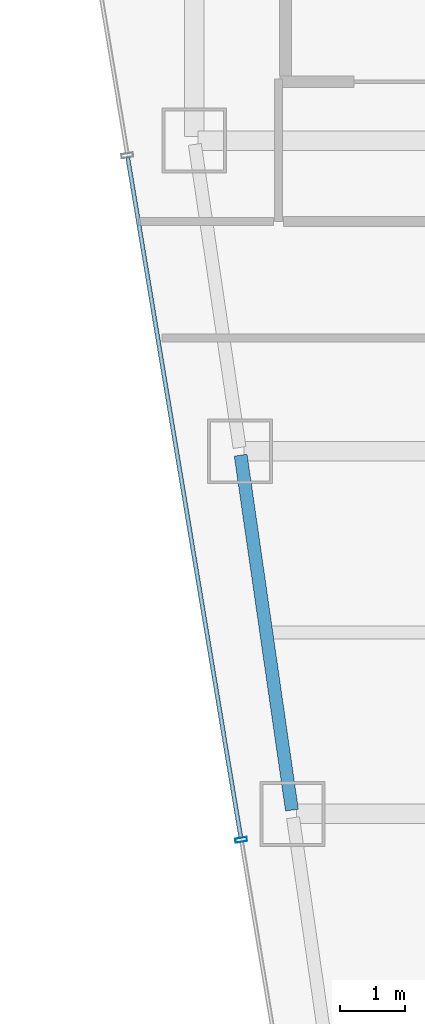
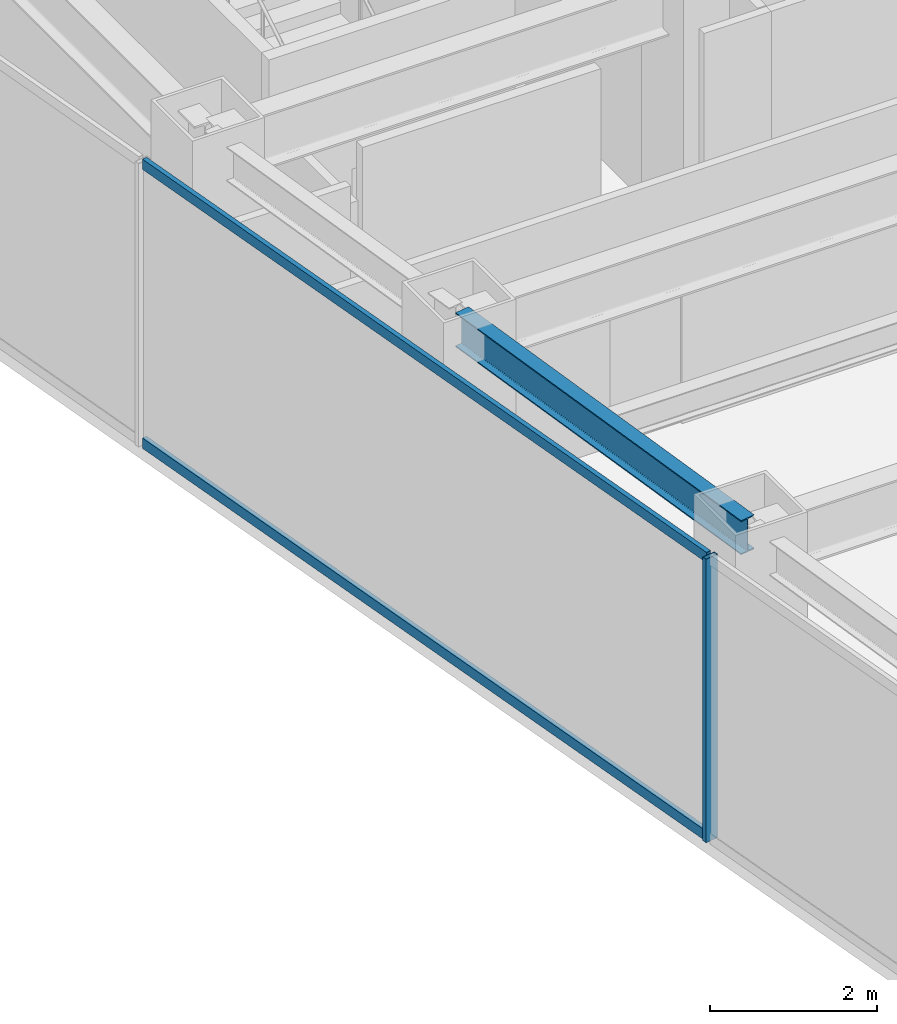
# One storey, part 9 of 37: 3 members, 1 beam, 1 element without a shape of its own.
"""IFC4 building model written with IfcOpenShell, lengths in metres."""

from ifc_helpers import new_model, si_unit, direction, frame, origin, origin_2d, place, context, subcontext, project, spatial, hollow_rectangle, i_section, extrude, material, material_profile, profile_set, type_object, element, aggregate, save


model = new_model("IFC4")

# Units and contexts
model_context = context("Model", 3, precision=1e-05, world=origin(), true_north=direction((0.0, 1.0)))
body_context = subcontext(model_context, "Body", "Model", "MODEL_VIEW")
ifc_project = project(units=[si_unit("LENGTHUNIT", "METRE"), si_unit("AREAUNIT", "SQUARE_METRE"), si_unit("VOLUMEUNIT", "CUBIC_METRE"), si_unit("PLANEANGLEUNIT", "RADIAN"), si_unit("MASSUNIT", "GRAM", prefix="KILO")], contexts=[model_context])

# Site, building, storey
site_placement = place(None, origin())
site = spatial("IfcSite", under=ifc_project, at=site_placement, CompositionType="ELEMENT")
building_placement = place(site_placement, origin())
building = spatial("IfcBuilding", under=site, at=building_placement, Name="Saevonmaru Cultural Tower", CompositionType="ELEMENT")
storey_placement = place(building_placement, frame((0.0, 0.0, 110.39990234375)))
storey = spatial("IfcBuildingStorey", under=building, at=storey_placement, Name="L23", CompositionType="ELEMENT", Elevation=110.39990234375)

# Beam
ifc_material_1 = material(Name="Steel SM355", Category="steel")
ifc_material_profile_1 = material_profile(ifc_material_1, i_section(OverallWidth=0.199951171875, OverallDepth=0.5, WebThickness=0.010009765625, FlangeThickness=0.01611328125, FilletRadius=0.02001953125, at=origin_2d()), Name="H-500x200x10x16")
ifc_profile_set_1 = profile_set([ifc_material_profile_1], Name="Steel SM355")
beam_type = type_object("IfcBeamType", Name="BM-SP-H500", PredefinedType="SPANDREL", material=ifc_profile_set_1)
beam_placement = place(storey_placement, frame((8.308349609375, 32.059326171875, 3.900146484375), z_axis=(-0.142964121327, 0.989727871697, 0.0), x_axis=(-0.989727871697, -0.142964121327, 0.0)))
element("IfcBeam", 1, at=beam_placement, inside=storey, type_object=beam_type, Name="L23 West Splayed Spandrel 4", PredefinedType="SPANDREL", context=body_context, shape_type="SweptSolid", body=[
    extrude(i_section(OverallWidth=0.199951171875, OverallDepth=0.5, WebThickness=0.010009765625, FlangeThickness=0.01611328125, FilletRadius=0.02001953125, at=origin_2d()), origin(), (0.0, 0.0, 1.0), 5.5380859375),
])

# Curtain wall, members
ifc_material_2 = material(Name="Satin Bronze Anodised Aluminium", Category="aluminium")
curtain_wall_type = type_object("IfcCurtainWallType", Name="CW-TYP-A", PredefinedType="NOTDEFINED", material=ifc_material_2)
curtain_wall_placement = place(storey_placement, origin())
curtain_wall = element("IfcCurtainWall", 2, at=curtain_wall_placement, inside=storey, type_object=curtain_wall_type, Name="L23 Unitised Curtain Wall E12", PredefinedType="NOTDEFINED")
ifc_material_profile_2 = material_profile(ifc_material_2, hollow_rectangle(XDim=0.06494140625, YDim=0.179931640625, WallThickness=0.00390625, at=origin_2d()), Name="ALU-MULL-180x65x4")
ifc_profile_set_2 = profile_set([ifc_material_profile_2], Name="Satin Bronze Anodised Aluminium")
member_type_1 = type_object("IfcMemberType", Name="ML-CW-180x65", PredefinedType="MULLION", material=ifc_profile_set_2)
member_1_placement = place(storey_placement, frame((7.5244140625, 31.60009765625, 0.0), z_axis=(0.0, 0.0, 1.0), x_axis=(0.163998702345, -0.986460554523, 0.0)))
member_1 = element("IfcMember", 3, at=member_1_placement, type_object=member_type_1, Name="CW-TW-L23-E12 mullion 3", PredefinedType="MULLION", context=body_context, shape_type="SweptSolid", body=[
    extrude(hollow_rectangle(XDim=0.06494140625, YDim=0.179931640625, WallThickness=0.00390625, at=origin_2d()), origin(), (0.0, 0.0, 1.0), 4.150146484375),
])
ifc_material_profile_3 = material_profile(ifc_material_2, hollow_rectangle(XDim=0.06494140625, YDim=0.14990234375, WallThickness=0.00390625, at=origin_2d()), Name="ALU-TRAN-150x65x4")
ifc_profile_set_3 = profile_set([ifc_material_profile_3], Name="Satin Bronze Anodised Aluminium")
member_type_2 = type_object("IfcMemberType", Name="TR-CW-150x65", PredefinedType="USERDEFINED", material=ifc_profile_set_3)
member_2_placement = place(storey_placement, frame((5.7724609375, 42.138427734375, 0.03271484375), z_axis=(0.163990079074, -0.9864619881, 0.0), x_axis=(0.9864619881, 0.163990079074, 0.0)))
member_2 = element("IfcMember", 4, at=member_2_placement, type_object=member_type_2, Name="CW-TW-L23-E12 transom 2.1", ObjectType="TRANSOM", PredefinedType="USERDEFINED", context=body_context, shape_type="SweptSolid", body=[
    extrude(hollow_rectangle(XDim=0.06494140625, YDim=0.14990234375, WallThickness=0.00390625, at=origin_2d()), origin(), (0.0, 0.0, 1.0), 10.650634765625),
])
member_3_placement = place(storey_placement, frame((5.7724609375, 42.138427734375, 4.11767578125), z_axis=(0.163990079074, -0.9864619881, 0.0), x_axis=(0.9864619881, 0.163990079074, 0.0)))
member_3 = element("IfcMember", 5, at=member_3_placement, type_object=member_type_2, Name="CW-TW-L23-E12 transom 2.2", ObjectType="TRANSOM", PredefinedType="USERDEFINED", context=body_context, shape_type="SweptSolid", body=[
    extrude(hollow_rectangle(XDim=0.06494140625, YDim=0.14990234375, WallThickness=0.00390625, at=origin_2d()), origin(), (0.0, 0.0, 1.0), 10.650634765625),
])
aggregate(curtain_wall, [member_1, member_2, member_3])

save(model, "model.ifc")
